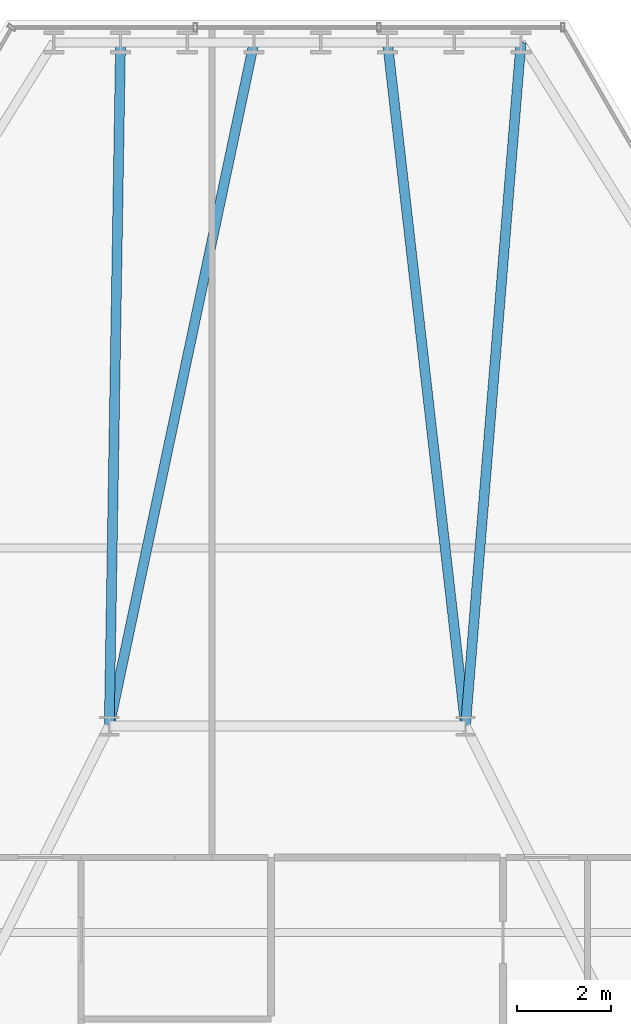
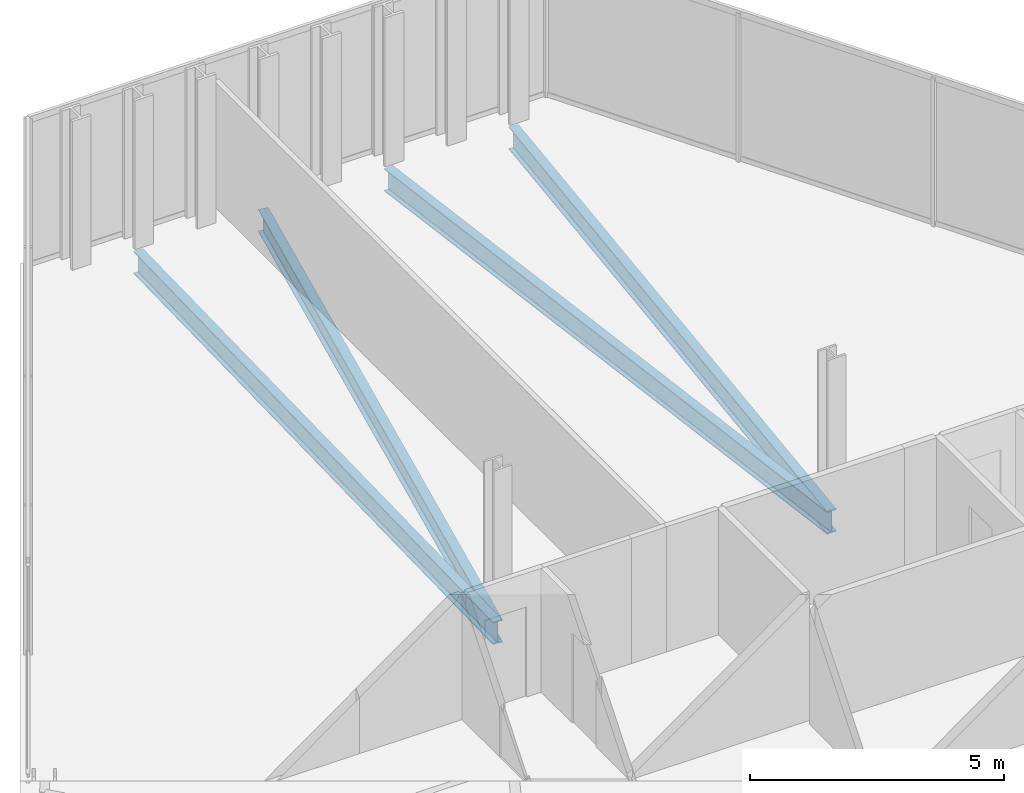
# One storey, part 21 of 31: 4 beams.
"""IFC4 building model written with IfcOpenShell, lengths in metres."""

import ifcopenshell
import ifcopenshell.guid

model = None  # the IFC model being written
_history = None  # IfcOwnerHistory: only IFC2X3 demands one
_inside = {}  # id of a spatial element -> (the spatial element, [elements in it])
_under = {}  # id of a project, library or spatial element -> (it, [spatial elements below it])
_declared = {}  # id of a project -> (the project, [libraries it declares])
_typed = {}  # id of a type object -> (the type object, [elements of that type])
_made_of = {}  # id of a material, layer set ... -> (it, [elements and type objects made of it])


def new_model(schema):
    """Start an empty IFC model of exactly this schema.

    Asked for "IFC4X3", IfcOpenShell would pick the latest addendum, in which some entities
    have other attributes; the version numbers below select the first issue.
    IFC2X3 requires an IfcOwnerHistory on every rooted entity: one is made here for all.
    """
    global model, _history
    if schema == "IFC4X3":
        model = ifcopenshell.file(schema_version=(4, 3, 0, 0))
    else:
        model = ifcopenshell.file(schema=schema)
    _inside.clear()
    _under.clear()
    _declared.clear()
    _typed.clear()
    _made_of.clear()
    _history = None
    if model.schema == "IFC2X3":
        org = make("IfcOrganization", Name="unknown")
        user = make(
            "IfcPersonAndOrganization",
            ThePerson=make("IfcPerson", FamilyName="unknown"),
            TheOrganization=org,
        )
        app = make(
            "IfcApplication",
            ApplicationDeveloper=org,
            Version="unknown",
            ApplicationFullName="unknown",
            ApplicationIdentifier="unknown",
        )
        _history = make(
            "IfcOwnerHistory",
            OwningUser=user,
            OwningApplication=app,
            ChangeAction="ADDED",
            CreationDate=0,
        )
    return model


def make(cls, **values):
    """One entity of the class cls with the attributes given. An attribute that is None is left unset."""
    return model.create_entity(
        cls, **{name: value for name, value in values.items() if value is not None}
    )


def rooted(cls, **values):
    """An entity with a GlobalId (a new one), such as an element, a storey or a relation."""
    return make(cls, GlobalId=ifcopenshell.guid.new(), OwnerHistory=_history, **values)


def si_unit(unit_type, name, prefix=None):
    """IfcSIUnit, for example si_unit("LENGTHUNIT", "METRE", prefix="MILLI")."""
    return make("IfcSIUnit", UnitType=unit_type, Prefix=prefix, Name=name)


def assignment(units):
    """IfcUnitAssignment: the units of a project."""
    return None if units is None else make("IfcUnitAssignment", Units=units)


def point(xyz):
    """IfcCartesianPoint."""
    return None if xyz is None else make("IfcCartesianPoint", Coordinates=xyz)


def direction(xyz):
    """IfcDirection."""
    return None if xyz is None else make("IfcDirection", DirectionRatios=xyz)


def frame(location, z_axis=None, x_axis=None):
    """IfcAxis2Placement3D, a coordinate frame: its origin and axes. An axis left out is left unset."""
    return make(
        "IfcAxis2Placement3D",
        Location=point(location),
        Axis=direction(z_axis),
        RefDirection=direction(x_axis),
    )


def frame_2d(location, x_axis=None):
    """IfcAxis2Placement2D, a coordinate frame in the plane: its origin and x axis."""
    return make(
        "IfcAxis2Placement2D", Location=point(location), RefDirection=direction(x_axis)
    )


def origin():
    """The frame at (0, 0, 0) with its axes left unset."""
    return frame((0.0, 0.0, 0.0))


def origin_2d():
    """The frame at (0, 0) in the plane with its x axis left unset."""
    return frame_2d((0.0, 0.0))


def place(relative_to, where):
    """IfcLocalPlacement: puts the frame where relative to a parent placement (None: the world)."""
    return make(
        "IfcLocalPlacement", PlacementRelTo=relative_to, RelativePlacement=where
    )


def context(
    kind, dimensions, precision=None, world=None, true_north=None, identifier=None
):
    """IfcGeometricRepresentationContext, for example the 3D "Model" context."""
    return make(
        "IfcGeometricRepresentationContext",
        ContextIdentifier=identifier,
        ContextType=kind,
        CoordinateSpaceDimension=dimensions,
        Precision=precision,
        WorldCoordinateSystem=world,
        TrueNorth=true_north,
    )


def subcontext(parent, identifier, kind, view, scale=None):
    """IfcGeometricRepresentationSubContext, for example "Body" below "Model"."""
    return make(
        "IfcGeometricRepresentationSubContext",
        ContextIdentifier=identifier,
        ContextType=kind,
        ParentContext=parent,
        TargetScale=scale,
        TargetView=view,
    )


def project(units=None, contexts=None):
    """IfcProject with its units and contexts."""
    return rooted(
        "IfcProject",
        Name="project",
        RepresentationContexts=contexts,
        UnitsInContext=assignment(units),
    )


def spatial(cls, under=None, at=None, **own):
    """A site, building, storey or space (cls), placed at a placement, below another one or the project."""
    s = rooted(cls, ObjectPlacement=at, **own)
    if under is not None:
        _under.setdefault(under.id(), (under, []))[1].append(s)
    return s


def profile(cls, at=None, kind="AREA", **sizes):
    """A parametric profile (cls). Its sizes go by their IFC names, for example OverallWidth=200.0."""
    return make(cls, ProfileType=kind, Position=at, **sizes)


def i_section(**sizes):
    """IfcIShapeProfileDef."""
    return profile("IfcIShapeProfileDef", **sizes)


def extrude(swept, where, along, depth):
    """IfcExtrudedAreaSolid: the profile swept, set in the frame where, extruded along a direction by depth."""
    return make(
        "IfcExtrudedAreaSolid",
        SweptArea=swept,
        Position=where,
        ExtrudedDirection=direction(along),
        Depth=depth,
    )


def shape(context_of_items, identifier, shape_type, items):
    """IfcShapeRepresentation: the items that make up one representation, for example the "Body"."""
    return make(
        "IfcShapeRepresentation",
        ContextOfItems=context_of_items,
        RepresentationIdentifier=identifier,
        RepresentationType=shape_type,
        Items=items,
    )


def material(Name=None, Category=None):
    """IfcMaterial."""
    return make("IfcMaterial", Name=Name, Category=Category)


def material_profile(
    of_material, cross_section, Name=None, Category=None, Priority=None
):
    """IfcMaterialProfile: a cross section and its material."""
    return make(
        "IfcMaterialProfile",
        Name=Name,
        Material=of_material,
        Profile=cross_section,
        Priority=Priority,
        Category=Category,
    )


def profile_set(profiles, Name=None, composite=None):
    """IfcMaterialProfileSet."""
    return make(
        "IfcMaterialProfileSet",
        Name=Name,
        MaterialProfiles=profiles,
        CompositeProfile=composite,
    )


def made_of(thing, what):
    """Note that an element or type object is made of a material, layer set ...; save() writes the relation."""
    if what is not None:
        _made_of.setdefault(what.id(), (what, []))[1].append(thing)
    return thing


def type_object(cls, material=None, **own):
    """A type object (cls), such as IfcWallType, which elements share."""
    return made_of(rooted(cls, **own), material)


def element(
    cls,
    number,
    at=None,
    inside=None,
    cuts=None,
    type_object=None,
    material=None,
    context=None,
    identifier="Body",
    shape_type=None,
    held_by="IfcProductDefinitionShape",
    body=None,
    shapes=None,
    **own,
):
    """One element of the class cls, such as IfcWall. Its Tag is "e" and its number.

    at: its placement. inside: the storey or other place that contains it. cuts: it is an
    opening in that element (IfcRelVoidsElement). A single representation is given by context,
    identifier, shape_type and body (its items); several are given by shapes. held_by: the class
    of the entity that holds the representations. save() writes the other relations.
    """
    e = rooted(cls, Tag="e%d" % number, ObjectPlacement=at, **own)
    if body is not None:
        shapes = [shape(context, identifier, shape_type, body)]
    if shapes is not None:
        e.Representation = make(held_by, Representations=shapes)
    if inside is not None:
        _inside.setdefault(inside.id(), (inside, []))[1].append(e)
    if cuts is not None:
        rooted(
            "IfcRelVoidsElement", RelatingBuildingElement=cuts, RelatedOpeningElement=e
        )
    if type_object is not None:
        _typed.setdefault(type_object.id(), (type_object, []))[1].append(e)
    return made_of(e, material)


def aggregate(whole, parts):
    """IfcRelAggregates: a whole, such as a stair, and the parts it consists of."""
    return rooted("IfcRelAggregates", RelatingObject=whole, RelatedObjects=parts)


def save(model, path):
    """Write the relations noted so far, then the file.

    IfcRelAggregates (storeys below a building ...), IfcRelContainedInSpatialStructure (elements
    in a storey), IfcRelDefinesByType, IfcRelAssociatesMaterial and IfcRelDeclares: one each for
    every whole, place, type object, material and project.
    """
    for whole, parts in _under.values():
        aggregate(whole, parts)
    for where, things in _inside.values():
        rooted(
            "IfcRelContainedInSpatialStructure",
            RelatedElements=things,
            RelatingStructure=where,
        )
    for kind, things in _typed.values():
        rooted("IfcRelDefinesByType", RelatedObjects=things, RelatingType=kind)
    for what, things in _made_of.values():
        rooted("IfcRelAssociatesMaterial", RelatedObjects=things, RelatingMaterial=what)
    for by, libraries in _declared.values():
        rooted("IfcRelDeclares", RelatingContext=by, RelatedDefinitions=libraries)
    model.write(path)


model = new_model("IFC4")

# Units and contexts
model_context = context("Model", 3, precision=1e-05, world=origin(), true_north=direction((0.0, 1.0)))
body_context = subcontext(model_context, "Body", "Model", "MODEL_VIEW")
ifc_project = project(units=[si_unit("LENGTHUNIT", "METRE"), si_unit("AREAUNIT", "SQUARE_METRE"), si_unit("VOLUMEUNIT", "CUBIC_METRE"), si_unit("PLANEANGLEUNIT", "RADIAN"), si_unit("MASSUNIT", "GRAM", prefix="KILO")], contexts=[model_context])

# Site, building, storey
site_placement = place(None, origin())
site = spatial("IfcSite", under=ifc_project, at=site_placement, CompositionType="ELEMENT")
building_placement = place(site_placement, origin())
building = spatial("IfcBuilding", under=site, at=building_placement, Name="Ndaravel Arena Tower", CompositionType="ELEMENT")
storey_placement = place(building_placement, frame((0.0, 0.0, 142.199951171875)))
storey = spatial("IfcBuildingStorey", under=building, at=storey_placement, Name="L33", CompositionType="ELEMENT", Elevation=142.199951171875)

# Beams
ifc_material = material(Name="Steel S355", Category="steel")
ifc_material_profile = material_profile(ifc_material, i_section(OverallWidth=0.210693359375, OverallDepth=0.53955078125, WebThickness=0.01171875, FlangeThickness=0.018798828125, FilletRadius=0.0126953125, at=origin_2d()), Name="UB 533x210x109")
ifc_profile_set = profile_set([ifc_material_profile], Name="Steel S355")
beam_type = type_object("IfcBeamType", Name="BM-GIRD-UB533", PredefinedType="BEAM", material=ifc_profile_set)
beam_1_placement = place(storey_placement, frame((46.98291015625, 45.784912109375, -0.48974609375), z_axis=(-0.080836028085, -0.99672741337, 0.0), x_axis=(0.99672741337, -0.080836028085, 0.0)))
element("IfcBeam", 1, at=beam_1_placement, inside=storey, type_object=beam_type, Name="L33 Radial Floor Girder FG-11", PredefinedType="BEAM", context=body_context, shape_type="SweptSolid", body=[
    extrude(i_section(OverallWidth=0.210693359375, OverallDepth=0.53955078125, WebThickness=0.01171875, FlangeThickness=0.018798828125, FilletRadius=0.0126953125, at=origin_2d()), origin(), (0.0, 0.0, 1.0), 14.6328125),
])
beam_2_placement = place(storey_placement, frame((44.135498046875, 45.784912109375, -0.48974609375), z_axis=(0.113391802646, -0.993550350557, 0.0), x_axis=(0.993550350557, 0.113391802646, 0.0)))
element("IfcBeam", 2, at=beam_2_placement, inside=storey, type_object=beam_type, Name="L33 Radial Floor Girder FG-13", PredefinedType="BEAM", context=body_context, shape_type="SweptSolid", body=[
    extrude(i_section(OverallWidth=0.210693359375, OverallDepth=0.53955078125, WebThickness=0.01171875, FlangeThickness=0.018798828125, FilletRadius=0.0126953125, at=origin_2d()), origin(), (0.0, 0.0, 1.0), 14.6796875),
])
beam_3_placement = place(storey_placement, frame((41.2880859375, 45.784912109375, -0.48974609375), z_axis=(-0.207141861115, -0.978310916516, 0.0), x_axis=(0.978310916516, -0.207141861115, 0.0)))
element("IfcBeam", 3, at=beam_3_placement, inside=storey, type_object=beam_type, Name="L33 Radial Floor Girder FG-15", PredefinedType="BEAM", context=body_context, shape_type="SweptSolid", body=[
    extrude(i_section(OverallWidth=0.210693359375, OverallDepth=0.53955078125, WebThickness=0.01171875, FlangeThickness=0.018798828125, FilletRadius=0.0126953125, at=origin_2d()), origin(), (0.0, 0.0, 1.0), 14.908203125),
])
beam_4_placement = place(storey_placement, frame((38.44091796875, 45.784912109375, -0.48974609375), z_axis=(-0.016519339141, -0.999863546407, 0.0), x_axis=(0.999863546407, -0.016519339141, 0.0)))
element("IfcBeam", 4, at=beam_4_placement, inside=storey, type_object=beam_type, Name="L33 Radial Floor Girder FG-17", PredefinedType="BEAM", context=body_context, shape_type="SweptSolid", body=[
    extrude(i_section(OverallWidth=0.210693359375, OverallDepth=0.53955078125, WebThickness=0.01171875, FlangeThickness=0.018798828125, FilletRadius=0.0126953125, at=origin_2d()), origin(), (0.0, 0.0, 1.0), 14.5869140625),
])

save(model, "model.ifc")
